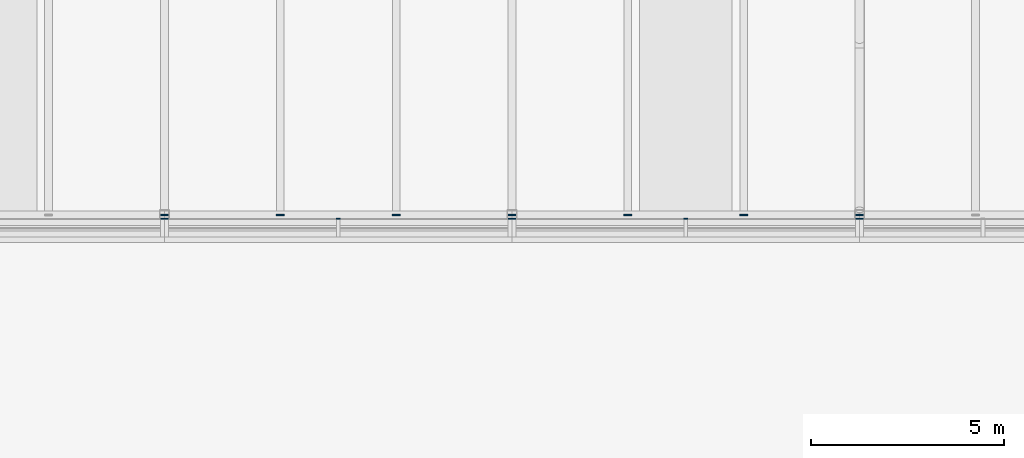
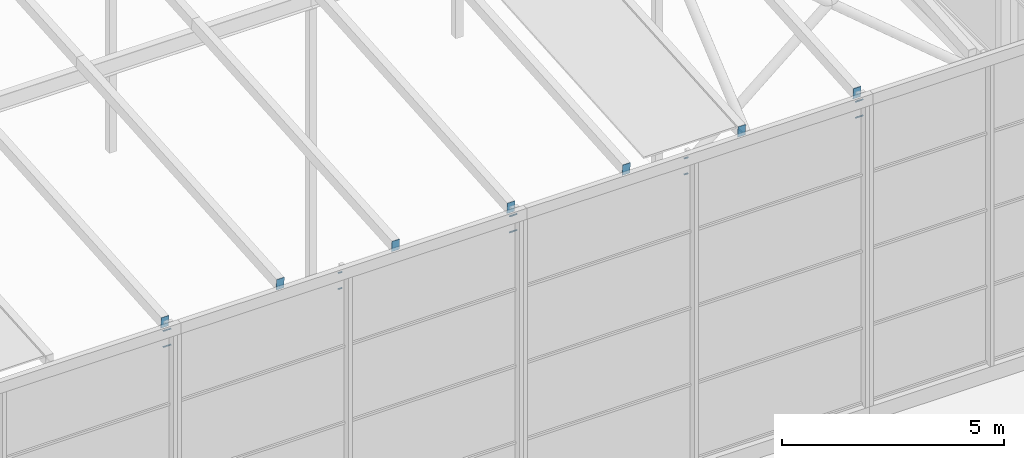
# One storey, part 67 of 84: 23 discrete accessories.
"""IFC4 building model written with IfcOpenShell, lengths in metres."""

from ifc_helpers import new_model, si_unit, direction, frame, origin, origin_2d, place, context, subcontext, project, spatial, rectangle, extrude, material, layer, layer_set, type_object, element, save


model = new_model("IFC4")

# Units and contexts
model_context = context("Model", 3, precision=1e-05, world=origin(), true_north=direction((0.0, 1.0)))
body_context = subcontext(model_context, "Body", "Model", "MODEL_VIEW")
ifc_project = project(units=[si_unit("LENGTHUNIT", "METRE"), si_unit("AREAUNIT", "SQUARE_METRE"), si_unit("VOLUMEUNIT", "CUBIC_METRE"), si_unit("PLANEANGLEUNIT", "RADIAN"), si_unit("MASSUNIT", "GRAM", prefix="KILO")], contexts=[model_context])

# Site, building, storey
site_placement = place(None, origin())
site = spatial("IfcSite", under=ifc_project, at=site_placement, CompositionType="ELEMENT")
building_placement = place(site_placement, origin())
building = spatial("IfcBuilding", under=site, at=building_placement, Name="Silverbay Arena", CompositionType="ELEMENT")
storey_placement = place(building_placement, frame((0.0, 0.0, 47.10009765625)))
storey = spatial("IfcBuildingStorey", under=building, at=storey_placement, Name="ROOF", CompositionType="ELEMENT", Elevation=47.10009765625)

# Discrete accessories
ifc_material_1 = material(Name="Steel S355", Category="steel")
ifc_layer = layer(ifc_material_1, 0.011962890625)
ifc_layer_set = layer_set([ifc_layer], Name="Steel S355")
discrete_accessory_type_1 = type_object("IfcDiscreteAccessoryType", Name="Purlin end plate 12", PredefinedType="USERDEFINED", material=ifc_layer_set)
for number, where, z_axis, x_axis, name in (
    (1, (153.0, 27.0, 8.74951171875), (0.0, -0.996684615823, -0.081362009455), (1.0, 0.0, 0.0), "Purlin end plate"),
    (2, (156.0, 27.0, 8.74951171875), (0.0, -0.996684615823, -0.081362009455), (1.0, 0.0, 0.0), "Purlin end plate"),
    (3, (159.0, 27.0, 8.74951171875), (0.0, -0.996684615823, -0.081362009455), (1.0, 0.0, 0.0), "Purlin end plate"),
    (4, (162.0, 27.0, 8.74951171875), (0.0, -0.996684615823, -0.081362009455), (1.0, 0.0, 0.0), "Purlin end plate"),
    (5, (165.0, 27.0, 8.74951171875), (0.0, -0.996684615823, -0.081362009455), (1.0, 0.0, 0.0), "Purlin end plate"),
    (6, (168.0, 27.0, 8.74951171875), (0.0, -0.996684615823, -0.081362009455), (1.0, 0.0, 0.0), "Purlin end plate"),
    (7, (171.0, 27.0, 8.74951171875), (0.0, -0.996684615823, -0.081362009455), (1.0, 0.0, 0.0), "Purlin end plate"),
):
    element("IfcDiscreteAccessory", number, at=place(storey_placement, frame(where, z_axis=z_axis, x_axis=x_axis)), inside=storey, type_object=discrete_accessory_type_1, Name=name, ObjectType="END PLATE", PredefinedType="USERDEFINED", context=body_context, shape_type="SweptSolid", body=[
        extrude(rectangle(XDim=0.199951171875, YDim=0.300048828125, at=origin_2d()), origin(), (0.0, 0.0, 1.0), 0.011962890625),
    ])
ifc_material_2 = material(Name="Steel S355", Category="steel")
discrete_accessory_type_2 = type_object("IfcDiscreteAccessoryType", Name="Steel bracket plate", PredefinedType="BRACKET", material=ifc_material_2)
for number, where, z_axis, x_axis, name in (
    (8, (152.949951171875, 26.89013671875, 8.58642578125), (0.0, 0.0, 1.0), (1.0, 0.0, 0.0), "Curtain wall packing plate"),
    (9, (152.949951171875, 26.89013671875, 8.145751953125), (0.0, 0.0, 1.0), (1.0, 0.0, 0.0), "Curtain wall packing plate"),
    (10, (153.050048828125, 26.89013671875, 8.58642578125), (0.0, 0.0, 1.0), (1.0, 0.0, 0.0), "Curtain wall packing plate"),
    (11, (153.050048828125, 26.89013671875, 8.145751953125), (0.0, 0.0, 1.0), (1.0, 0.0, 0.0), "Curtain wall packing plate"),
    (12, (157.5, 26.89013671875, 8.58642578125), (0.0, 0.0, 1.0), (1.0, 0.0, 0.0), "Curtain wall packing plate"),
    (13, (157.5, 26.89013671875, 8.145751953125), (0.0, 0.0, 1.0), (1.0, 0.0, 0.0), "Curtain wall packing plate"),
    (14, (161.949951171875, 26.89013671875, 8.58642578125), (0.0, 0.0, 1.0), (1.0, 0.0, 0.0), "Curtain wall packing plate"),
    (15, (161.949951171875, 26.89013671875, 8.145751953125), (0.0, 0.0, 1.0), (1.0, 0.0, 0.0), "Curtain wall packing plate"),
    (16, (162.050048828125, 26.89013671875, 8.58642578125), (0.0, 0.0, 1.0), (1.0, 0.0, 0.0), "Curtain wall packing plate"),
    (17, (162.050048828125, 26.89013671875, 8.145751953125), (0.0, 0.0, 1.0), (1.0, 0.0, 0.0), "Curtain wall packing plate"),
    (18, (166.5, 26.89013671875, 8.58642578125), (0.0, 0.0, 1.0), (1.0, 0.0, 0.0), "Curtain wall packing plate"),
    (19, (166.5, 26.89013671875, 8.145751953125), (0.0, 0.0, 1.0), (1.0, 0.0, 0.0), "Curtain wall packing plate"),
    (20, (170.949951171875, 26.89013671875, 8.58642578125), (0.0, 0.0, 1.0), (1.0, 0.0, 0.0), "Curtain wall packing plate"),
    (21, (170.949951171875, 26.89013671875, 8.145751953125), (0.0, 0.0, 1.0), (1.0, 0.0, 0.0), "Curtain wall packing plate"),
    (22, (171.050048828125, 26.89013671875, 8.58642578125), (0.0, 0.0, 1.0), (1.0, 0.0, 0.0), "Curtain wall packing plate"),
    (23, (171.050048828125, 26.89013671875, 8.145751953125), (0.0, 0.0, 1.0), (1.0, 0.0, 0.0), "Curtain wall packing plate"),
):
    element("IfcDiscreteAccessory", number, at=place(storey_placement, frame(where, z_axis=z_axis, x_axis=x_axis)), inside=storey, type_object=discrete_accessory_type_2, Name=name, PredefinedType="BRACKET", context=body_context, shape_type="SweptSolid", body=[
        extrude(rectangle(XDim=0.10009765625, YDim=0.030029296875, at=origin_2d()), origin(), (0.0, 0.0, 1.0), 0.0126953125),
    ])

save(model, "model.ifc")
